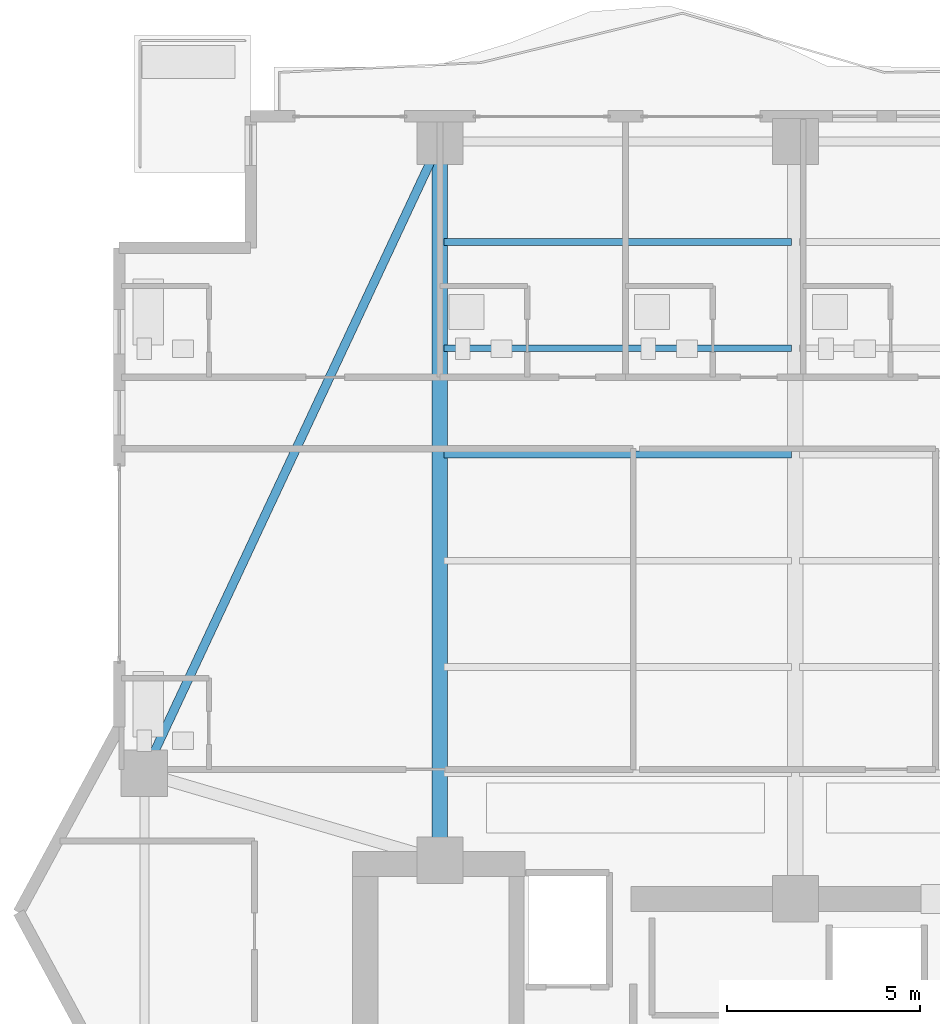
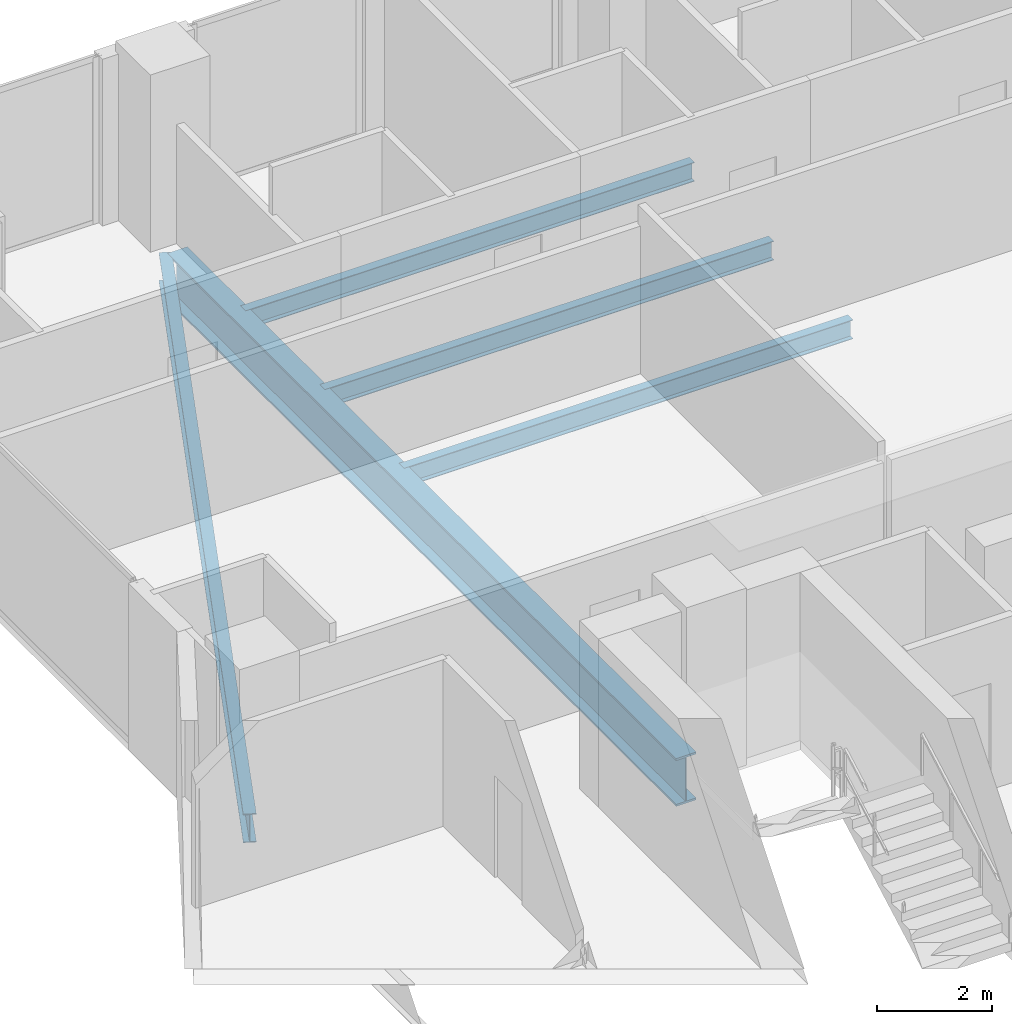
# One storey, part 16 of 32: 5 beams.
"""IFC4 building model written with IfcOpenShell, lengths in metres."""

from ifc_helpers import new_model, si_unit, direction, frame, origin, origin_2d, place, context, subcontext, project, spatial, i_section, extrude, material, material_profile, profile_set, type_object, element, save


model = new_model("IFC4")

# Units and contexts
model_context = context("Model", 3, precision=1e-05, world=origin(), true_north=direction((0.0, 1.0)))
body_context = subcontext(model_context, "Body", "Model", "MODEL_VIEW")
ifc_project = project(units=[si_unit("LENGTHUNIT", "METRE"), si_unit("AREAUNIT", "SQUARE_METRE"), si_unit("VOLUMEUNIT", "CUBIC_METRE"), si_unit("PLANEANGLEUNIT", "RADIAN"), si_unit("MASSUNIT", "GRAM", prefix="KILO")], contexts=[model_context])

# Site, building, storey
site_placement = place(None, origin())
site = spatial("IfcSite", under=ifc_project, at=site_placement, CompositionType="ELEMENT")
building_placement = place(site_placement, origin())
building = spatial("IfcBuilding", under=site, at=building_placement, Name="Zuhayl Quay Hotel", CompositionType="ELEMENT")
storey_placement = place(building_placement, frame((0.0, 0.0, 226.14990234375)))
storey = spatial("IfcBuildingStorey", under=building, at=storey_placement, Name="L57", CompositionType="ELEMENT", Elevation=226.14990234375)

# Beams
ifc_material = material(Name="Steel ASTM A992 Grade 50", Category="steel")
ifc_material_profile_1 = material_profile(ifc_material, i_section(OverallWidth=0.22802734375, OverallDepth=0.60693359375, WebThickness=0.01123046875, FlangeThickness=0.017333984375, at=origin_2d()), Name="W24X76")
ifc_profile_set_1 = profile_set([ifc_material_profile_1], Name="Steel ASTM A992 Grade 50")
beam_type_1 = type_object("IfcBeamType", Name="BM_B3_W24X76", PredefinedType="BEAM", material=ifc_profile_set_1)
beam_1_placement = place(storey_placement, frame((-14.011962890625, 32.4970703125, -0.5234375), z_axis=(-0.423792164429, -0.905759461098, 0.0), x_axis=(0.905759461098, -0.423792164429, 0.0)))
element("IfcBeam", 1, at=beam_1_placement, inside=storey, type_object=beam_type_1, Name="L57 Floor Beam RG_L57_10", PredefinedType="BEAM", context=body_context, shape_type="SweptSolid", body=[
    extrude(i_section(OverallWidth=0.22802734375, OverallDepth=0.60693359375, WebThickness=0.01123046875, FlangeThickness=0.017333984375, at=origin_2d()), origin(), (0.0, 0.0, 1.0), 17.051025390625),
])
ifc_material_profile_2 = material_profile(ifc_material, i_section(OverallWidth=0.177978515625, OverallDepth=0.406005859375, WebThickness=0.0078125, FlangeThickness=0.0126953125, at=origin_2d()), Name="W16X40")
ifc_profile_set_2 = profile_set([ifc_material_profile_2], Name="Steel ASTM A992 Grade 50")
beam_type_2 = type_object("IfcBeamType", Name="BM_J2B_W16X40", PredefinedType="JOIST", material=ifc_profile_set_2)
for number, where, z_axis, x_axis, name in (
    (2, (-13.694091796875, 24.85009765625, -0.4228515625), (1.0, 0.0, 0.0), (0.0, 1.0, 0.0), "L57 Floor Beam FJ_L57_4_1"),
    (3, (-13.694091796875, 27.60009765625, -0.4228515625), (1.0, 0.0, 0.0), (0.0, 1.0, 0.0), "L57 Floor Beam FJ_L57_5_1"),
    (4, (-13.694091796875, 30.35009765625, -0.4228515625), (1.0, 0.0, 0.0), (0.0, 1.0, 0.0), "L57 Floor Beam FJ_L57_6_1"),
):
    element("IfcBeam", number, at=place(storey_placement, frame(where, z_axis=z_axis, x_axis=x_axis)), inside=storey, type_object=beam_type_2, Name=name, PredefinedType="JOIST", context=body_context, shape_type="SweptSolid", body=[
        extrude(i_section(OverallWidth=0.177978515625, OverallDepth=0.406005859375, WebThickness=0.0078125, FlangeThickness=0.0126953125, at=origin_2d()), origin(), (0.0, 0.0, 1.0), 8.988037109375),
    ])
ifc_material_profile_3 = material_profile(ifc_material, i_section(OverallWidth=0.40087890625, OverallDepth=1.010986328125, WebThickness=0.023681640625, FlangeThickness=0.0419921875, at=origin_2d()), Name="W40X297")
ifc_profile_set_3 = profile_set([ifc_material_profile_3], Name="Steel ASTM A992 Grade 50")
beam_type_3 = type_object("IfcBeamType", Name="BM_TG2_W40X297", PredefinedType="BEAM", material=ifc_profile_set_3)
beam_2_placement = place(storey_placement, frame((-13.800048828125, 14.800048828125, -0.725341796875), z_axis=(0.0, 1.0, 0.0), x_axis=(-1.0, 0.0, 0.0)))
element("IfcBeam", 5, at=beam_2_placement, inside=storey, type_object=beam_type_3, Name="L57 Floor Beam FG_N_L57_1", PredefinedType="BEAM", context=body_context, shape_type="SweptSolid", body=[
    extrude(i_section(OverallWidth=0.40087890625, OverallDepth=1.010986328125, WebThickness=0.023681640625, FlangeThickness=0.0419921875, at=origin_2d()), origin(), (0.0, 0.0, 1.0), 17.64990234375),
])

save(model, "model.ifc")
